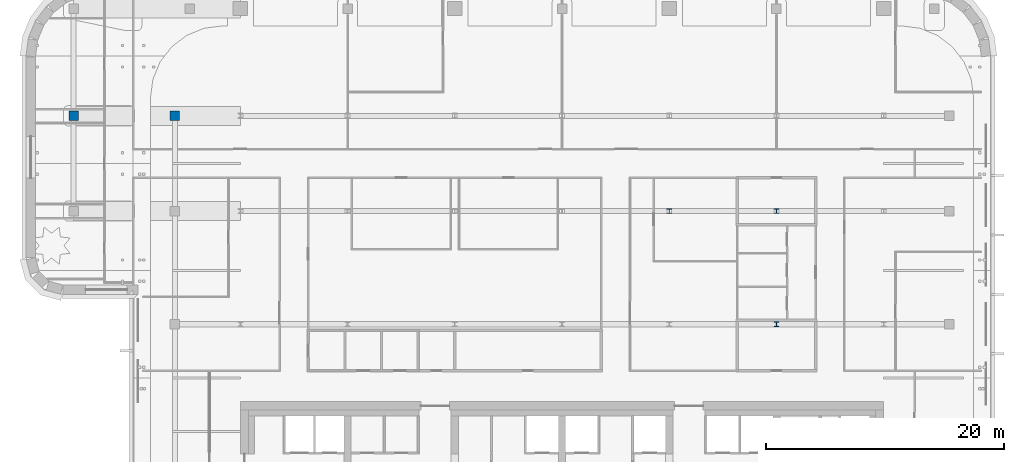
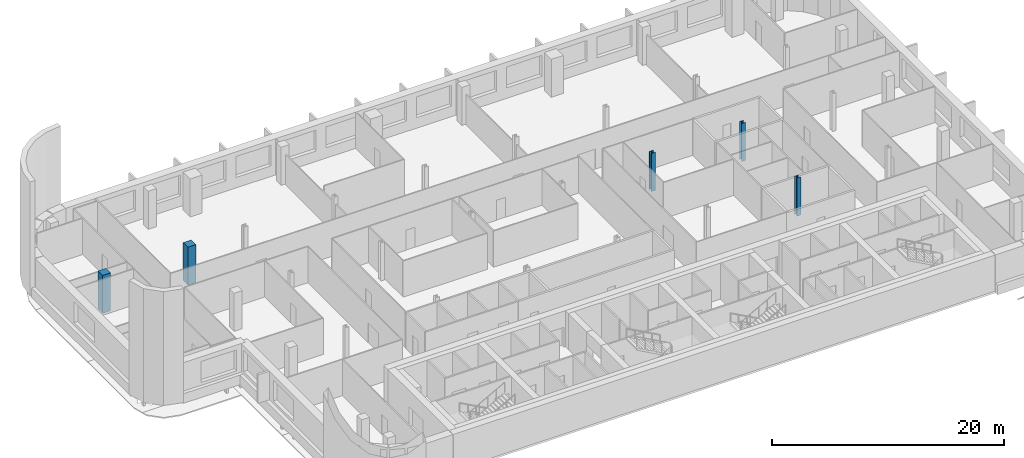
# One storey, part 2 of 19: 5 columns.
"""IFC4 building model written with IfcOpenShell, lengths in metres."""

from ifc_helpers import new_model, si_unit, direction, frame, origin, origin_2d, place, context, subcontext, project, spatial, rectangle, i_section, extrude, material, material_profile, profile_set, type_object, element, save


model = new_model("IFC4")

# Units and contexts
model_context = context("Model", 3, precision=1e-05, world=origin(), true_north=direction((0.0, 1.0)))
body_context = subcontext(model_context, "Body", "Model", "MODEL_VIEW")
ifc_project = project(units=[si_unit("LENGTHUNIT", "METRE"), si_unit("AREAUNIT", "SQUARE_METRE"), si_unit("VOLUMEUNIT", "CUBIC_METRE"), si_unit("PLANEANGLEUNIT", "RADIAN"), si_unit("MASSUNIT", "GRAM", prefix="KILO")], contexts=[model_context])

# Site, building, storey
site_placement = place(None, origin())
site = spatial("IfcSite", under=ifc_project, at=site_placement, CompositionType="ELEMENT")
building_placement = place(site_placement, origin())
building = spatial("IfcBuilding", under=site, at=building_placement, Name="Zellij Exchange Tower", CompositionType="ELEMENT")
storey_placement = place(building_placement, frame((0.0, 0.0, 220.5)))
storey = spatial("IfcBuildingStorey", under=building, at=storey_placement, Name="L51", CompositionType="ELEMENT", Elevation=220.5)

# Columns
ifc_material_1 = material(Name="Concrete C50/60", Category="concrete")
ifc_material_profile_1 = material_profile(ifc_material_1, rectangle(XDim=0.800048828125, YDim=0.800048828125, at=origin_2d()), Name="STR-COLUMN RC800x800 C50/60")
ifc_profile_set_1 = profile_set([ifc_material_profile_1], Name="Concrete C50/60")
column_type_1 = type_object("IfcColumnType", Name="STR-COLUMN RC800x800 C50/60", PredefinedType="COLUMN", material=ifc_profile_set_1)
for number, where, z_axis, x_axis, name in (
    (1, (-41.0, 22.0, 0.0), (0.0, 0.0, 1.0), (1.0, 0.0, 0.0), "C15"),
    (2, (-32.5, 22.0, 0.0), (0.0, 0.0, 1.0), (1.0, 0.0, 0.0), "C15"),
):
    element("IfcColumn", number, at=place(storey_placement, frame(where, z_axis=z_axis, x_axis=x_axis)), inside=storey, type_object=column_type_1, Name=name, PredefinedType="COLUMN", context=body_context, shape_type="SweptSolid", body=[
        extrude(rectangle(XDim=0.800048828125, YDim=0.800048828125, at=origin_2d()), origin(), (0.0, 0.0, 1.0), 4.0),
    ])
ifc_material_2 = material(Name="Structural steel ASTM A992 Gr 50", Category="steel")
ifc_material_profile_2 = material_profile(ifc_material_2, i_section(OverallWidth=0.398681640625, OverallDepth=0.385986328125, WebThickness=0.02099609375, FlangeThickness=0.033203125, at=origin_2d()), Name="W14x176")
ifc_profile_set_2 = profile_set([ifc_material_profile_2], Name="Structural steel ASTM A992 Gr 50")
column_type_2 = type_object("IfcColumnType", Name="STR-COLUMN W14x176", PredefinedType="COLUMN", material=ifc_profile_set_2)
for number, where, z_axis, x_axis, name in (
    (3, (18.0, 4.5, 0.0), (0.0, 0.0, 1.0), (1.0, 0.0, 0.0), "C2"),
    (4, (9.0, 14.0, 0.0), (0.0, 0.0, 1.0), (1.0, 0.0, 0.0), "C2"),
    (5, (18.0, 14.0, 0.0), (0.0, 0.0, 1.0), (1.0, 0.0, 0.0), "C2"),
):
    element("IfcColumn", number, at=place(storey_placement, frame(where, z_axis=z_axis, x_axis=x_axis)), inside=storey, type_object=column_type_2, Name=name, PredefinedType="COLUMN", context=body_context, shape_type="SweptSolid", body=[
        extrude(i_section(OverallWidth=0.398681640625, OverallDepth=0.385986328125, WebThickness=0.02099609375, FlangeThickness=0.033203125, at=origin_2d()), origin(), (0.0, 0.0, 1.0), 4.0),
    ])

save(model, "model.ifc")
